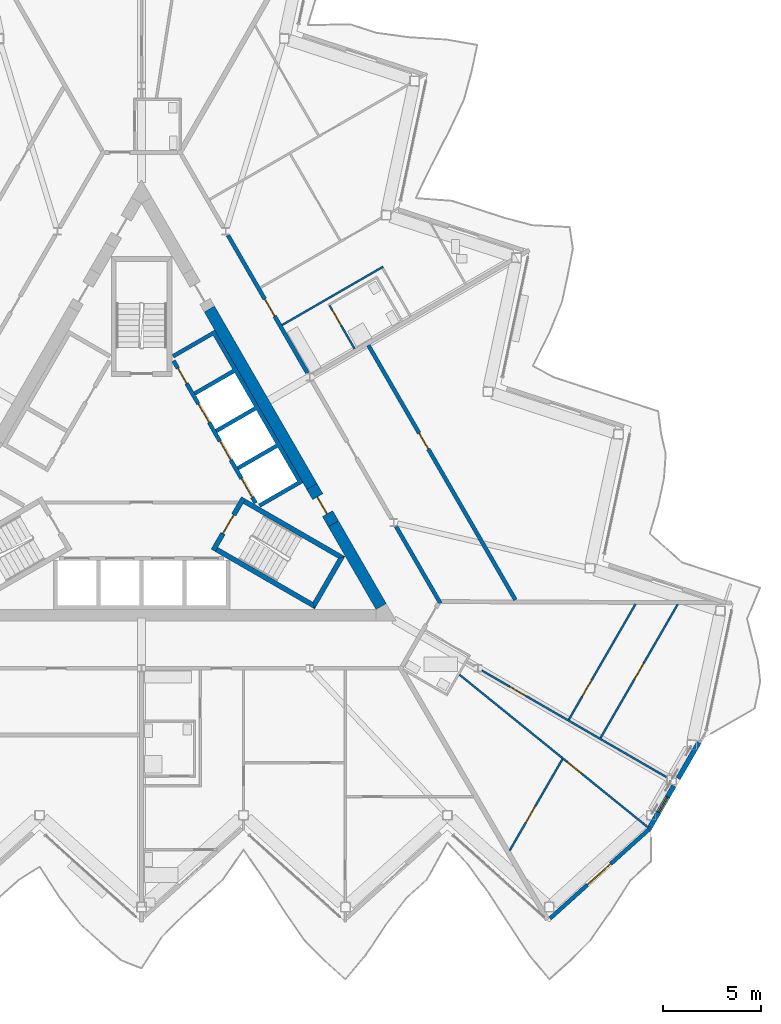
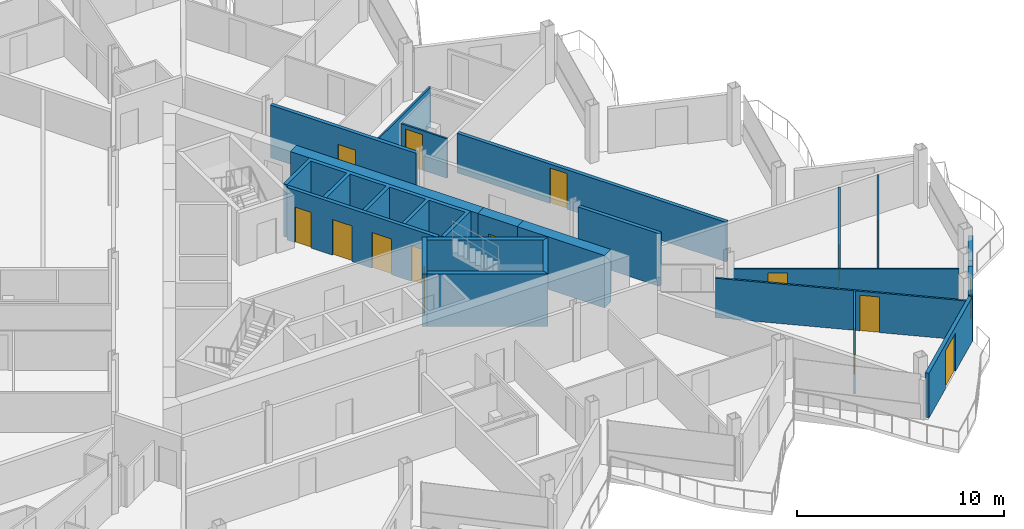
# One storey, part 16 of 27: 22 walls, 15 doors, 1 window, 16 openings.
"""IFC4 building model written with IfcOpenShell, lengths in metres."""

from ifc_helpers import new_model, si_unit, direction, frame, frame_2d, origin, place, context, subcontext, project, spatial, polyline, rectangle, outline, extrude, material, layer, layer_set, type_object, element, fill, save


model = new_model("IFC4")

# Units and contexts
model_context = context("Model", 3, precision=1e-05, world=origin(), true_north=direction((0.0, 1.0)))
body_context = subcontext(model_context, "Body", "Model", "MODEL_VIEW")
ifc_project = project(units=[si_unit("LENGTHUNIT", "METRE"), si_unit("AREAUNIT", "SQUARE_METRE"), si_unit("VOLUMEUNIT", "CUBIC_METRE"), si_unit("PLANEANGLEUNIT", "RADIAN"), si_unit("MASSUNIT", "GRAM", prefix="KILO")], contexts=[model_context])

# Site, building, storey
site_placement = place(None, origin())
site = spatial("IfcSite", under=ifc_project, at=site_placement, CompositionType="ELEMENT")
building_placement = place(site_placement, origin())
building = spatial("IfcBuilding", under=site, at=building_placement, Name="Cormorant Prow Tower", CompositionType="ELEMENT")
storey_placement = place(building_placement, frame((0.0, 0.0, 361.0)))
storey = spatial("IfcBuildingStorey", under=building, at=storey_placement, Name="L80", CompositionType="ELEMENT", Elevation=361.0)

# Walls
ifc_material_1 = material(Name="Concrete 8000 psi", Category="concrete")
ifc_layer_1 = layer(ifc_material_1, 0.60009765625)
ifc_layer_set_1 = layer_set([ifc_layer_1], Name="Concrete 8000 psi")
wall_type_1 = type_object("IfcWallType", Name="Core shear wall 600", PredefinedType="SHEAR", material=ifc_layer_set_1)
wall_1_placement = place(storey_placement, frame((8.686279296875, -0.6337890625, 0.0), z_axis=(0.0, 0.0, 1.0), x_axis=(-0.50001836461, 0.866014800712, 0.0)))
element("IfcWall", 1, at=wall_1_placement, inside=storey, type_object=wall_type_1, Name="Core wall", PredefinedType="SHEAR", context=body_context, shape_type="SweptSolid", body=[
    extrude(rectangle(XDim=10.45068359375, YDim=0.60009765625, at=frame_2d((5.225341796875, 0.0))), origin(), (0.0, 0.0, 1.0), 3.10009765625),
])
wall_2_placement = place(storey_placement, frame((12.220703125, -6.755615234375, 0.0), z_axis=(0.0, 0.0, 1.0), x_axis=(-0.50000604952, 0.866021911064, 0.0)))
element("IfcWall", 2, at=wall_2_placement, inside=storey, type_object=wall_type_1, Name="Core wall", PredefinedType="SHEAR", context=body_context, shape_type="SweptSolid", body=[
    extrude(rectangle(XDim=4.86865234375, YDim=0.60009765625, at=frame_2d((2.434326171875, 0.0))), origin(), (0.0, 0.0, 1.0), 3.10009765625),
])

# Wall, opening, door
wall_3_placement = place(storey_placement, frame((9.786376953125, -2.539306640625, 0.0), z_axis=(0.0, 0.0, 1.0), x_axis=(-0.499981787252, 0.866035918664, 0.0)))
wall_3 = element("IfcWall", 3, at=wall_3_placement, inside=storey, type_object=wall_type_1, Name="Core wall door panel", PredefinedType="SHEAR", context=body_context, shape_type="SweptSolid", body=[
    extrude(rectangle(XDim=2.2001953125, YDim=0.60009765625, at=frame_2d((1.10009765625, 0.0))), origin(), (0.0, 0.0, 1.0), 3.10009765625),
])
opening_1_placement = place(wall_3_placement, frame((0.60009765625, 0.0, 0.0)))
opening_1 = element("IfcOpeningElement", 4, at=opening_1_placement, cuts=wall_3, Name="Opening L80-C16", PredefinedType="OPENING", context=body_context, shape_type="SweptSolid", body=[
    extrude(rectangle(XDim=1.0, YDim=2.10009765625, at=frame_2d((0.5, 1.050048828125))), frame((0.0, 0.31005859375, 0.0), z_axis=(0.0, -1.0, 0.0), x_axis=(1.0, 0.0, 0.0)), (0.0, 0.0, 1.0), 0.6201171875),
])
ifc_material_2 = material(Name="Painted steel", Category="steel")
door_type_1 = type_object("IfcDoorType", Name="Service door 1000x2100", OperationType="NOTDEFINED", PredefinedType="DOOR", material=ifc_material_2)
door_1_placement = place(opening_1_placement, origin())
door_1 = element("IfcDoor", 5, at=door_1_placement, inside=storey, type_object=door_type_1, Name="Core door, Telecom room", OperationType="SINGLE_SWING_LEFT", OverallHeight=2.10009765625, OverallWidth=1.0, PredefinedType="DOOR", context=body_context, shape_type="SweptSolid", body=[
    extrude(rectangle(XDim=1.0, YDim=2.10009765625, at=frame_2d((0.5, 1.050048828125))), frame((0.0, 0.05517578125, 0.0), z_axis=(0.0, -1.0, 0.0), x_axis=(1.0, 0.0, 0.0)), (0.0, 0.0, 1.0), 0.050048828125),
])
fill(opening_1, door_1)

ifc_material_3 = material(Name="Gypsum board corridor wall")
ifc_layer_2 = layer(ifc_material_3, 0.199951171875)
ifc_layer_set_2 = layer_set([ifc_layer_2], Name="Gypsum board corridor wall")
wall_type_2 = type_object("IfcWallType", Name="Corridor wall 200", PredefinedType="PARTITIONING", material=ifc_layer_set_2)
wall_4_placement = place(storey_placement, frame((4.403076171875, 12.184814453125, 0.0), z_axis=(0.0, 0.0, 1.0), x_axis=(0.499992155518, -0.866029932751, 0.0)))
wall_4 = element("IfcWall", 6, at=wall_4_placement, inside=storey, type_object=wall_type_2, Name="Corridor wall", PredefinedType="PARTITIONING", context=body_context, shape_type="SweptSolid", body=[
    extrude(rectangle(XDim=8.123291015625, YDim=0.199951171875, at=frame_2d((4.0615234375, 0.0))), origin(), (0.0, 0.0, 1.0), 3.10009765625),
])
opening_2_placement = place(wall_4_placement, frame((3.762451171875, 0.0, 0.0)))
opening_2 = element("IfcOpeningElement", 7, at=opening_2_placement, cuts=wall_4, Name="Opening L80-F20", PredefinedType="OPENING", context=body_context, shape_type="SweptSolid", body=[
    extrude(rectangle(XDim=1.0, YDim=2.10009765625, at=frame_2d((0.5, 1.050048828125))), frame((0.0, 0.10986328125, 0.0), z_axis=(0.0, -1.0, 0.0), x_axis=(1.0, 0.0, 0.0)), (0.0, 0.0, 1.0), 0.219970703125),
])
ifc_material_4 = material(Name="Timber door leaf", Category="wood")
door_type_2 = type_object("IfcDoorType", Name="Flat or room entrance door 1000x2100", OperationType="NOTDEFINED", PredefinedType="DOOR", material=ifc_material_4)
door_2_placement = place(opening_2_placement, origin())
door_2 = element("IfcDoor", 8, at=door_2_placement, inside=storey, type_object=door_type_2, Name="Living room door", OperationType="SINGLE_SWING_RIGHT", OverallHeight=2.10009765625, OverallWidth=1.0, PredefinedType="DOOR", context=body_context, shape_type="SweptSolid", body=[
    extrude(rectangle(XDim=1.0, YDim=2.10009765625, at=frame_2d((0.5, 1.050048828125))), frame((0.0, 0.02490234375, 0.0), z_axis=(0.0, -1.0, 0.0), x_axis=(1.0, 0.0, 0.0)), (0.0, 0.0, 1.0), 0.050048828125),
])
fill(opening_2, door_2)

# Wall
wall_5_placement = place(storey_placement, frame((12.9814453125, -2.67333984375, 0.0), z_axis=(0.0, 0.0, 1.0), x_axis=(0.499974648164, -0.866040040179, 0.0)))
element("IfcWall", 9, at=wall_5_placement, inside=storey, type_object=wall_type_2, Name="Corridor wall", PredefinedType="PARTITIONING", context=body_context, shape_type="SweptSolid", body=[
    extrude(rectangle(XDim=4.525146484375, YDim=0.199951171875, at=frame_2d((2.2626953125, 0.0))), origin(), (0.0, 0.0, 1.0), 3.10009765625),
])

# Wall, opening, door
ifc_material_5 = material(Name="Gypsum board demising wall")
ifc_layer_3 = layer(ifc_material_5, 0.199951171875)
ifc_layer_set_3 = layer_set([ifc_layer_3], Name="Gypsum board demising wall")
wall_type_3 = type_object("IfcWallType", Name="Demising wall 200", PredefinedType="PARTITIONING", material=ifc_layer_set_3)
wall_6_placement = place(storey_placement, frame((11.572998046875, 6.566162109375, 0.0), z_axis=(0.0, 0.0, 1.0), x_axis=(0.499993542657, -0.866029131901, 0.0)))
wall_6 = element("IfcWall", 10, at=wall_6_placement, inside=storey, type_object=wall_type_3, Name="Demising wall", PredefinedType="PARTITIONING", context=body_context, shape_type="SweptSolid", body=[
    extrude(rectangle(XDim=14.993896484375, YDim=0.199951171875, at=frame_2d((7.4970703125, 0.0))), origin(), (0.0, 0.0, 1.0), 2.330078125),
])
opening_3_placement = place(wall_6_placement, frame((5.166015625, 0.0, 0.0)))
opening_3 = element("IfcOpeningElement", 11, at=opening_3_placement, cuts=wall_6, Name="Opening L80-F19", PredefinedType="OPENING", context=body_context, shape_type="SweptSolid", body=[
    extrude(rectangle(XDim=0.949951171875, YDim=2.10009765625, at=frame_2d((0.47509765625, 1.050048828125))), frame((0.0, 0.10986328125, 0.0), z_axis=(0.0, -1.0, 0.0), x_axis=(1.0, 0.0, 0.0)), (0.0, 0.0, 1.0), 0.219970703125),
])
ifc_material_6 = material(Name="Timber door leaf", Category="wood")
door_type_3 = type_object("IfcDoorType", Name="Store door 950x2100", OperationType="NOTDEFINED", PredefinedType="DOOR", material=ifc_material_6)
door_3_placement = place(opening_3_placement, origin())
door_3 = element("IfcDoor", 12, at=door_3_placement, inside=storey, type_object=door_type_3, Name="Refuse room door", OperationType="SINGLE_SWING_LEFT", OverallHeight=2.10009765625, OverallWidth=0.949951171875, PredefinedType="DOOR", context=body_context, shape_type="SweptSolid", body=[
    extrude(rectangle(XDim=0.949951171875, YDim=2.10009765625, at=frame_2d((0.47509765625, 1.050048828125))), frame((0.0, 0.02490234375, 0.0), z_axis=(0.0, -1.0, 0.0), x_axis=(1.0, 0.0, 0.0)), (0.0, 0.0, 1.0), 0.050048828125),
])
fill(opening_3, door_3)

ifc_material_7 = material(Name="Gypsum board partition")
ifc_layer_4 = layer(ifc_material_7, 0.10009765625)
ifc_layer_set_4 = layer_set([ifc_layer_4], Name="Gypsum board partition")
wall_type_4 = type_object("IfcWallType", Name="Internal partition 100", PredefinedType="PARTITIONING", material=ifc_layer_set_4)
wall_7_placement = place(storey_placement, frame((16.2158203125, -10.234130859375, 0.0), z_axis=(0.0, 0.0, 1.0), x_axis=(0.777145059662, -0.629321504672, 0.0)))
wall_7 = element("IfcWall", 13, at=wall_7_placement, inside=storey, type_object=wall_type_4, Name="Internal partition", PredefinedType="PARTITIONING", context=body_context, shape_type="SweptSolid", body=[
    extrude(rectangle(XDim=12.58984375, YDim=0.10009765625, at=frame_2d((6.294921875, 0.0))), origin(), (0.0, 0.0, 1.0), 2.330078125),
])
opening_4_placement = place(wall_7_placement, frame((7.074462890625, 0.0, 0.0)))
opening_4 = element("IfcOpeningElement", 14, at=opening_4_placement, cuts=wall_7, Name="Opening L80-F16", PredefinedType="OPENING", context=body_context, shape_type="SweptSolid", body=[
    extrude(rectangle(XDim=0.949951171875, YDim=2.10009765625, at=frame_2d((0.47509765625, 1.050048828125))), frame((0.0, 0.06005859375, 0.0), z_axis=(0.0, -1.0, 0.0), x_axis=(1.0, 0.0, 0.0)), (0.0, 0.0, 1.0), 0.1201171875),
])
ifc_material_8 = material(Name="Timber door leaf", Category="wood")
door_type_4 = type_object("IfcDoorType", Name="Bathroom door 950x2100", OperationType="NOTDEFINED", PredefinedType="DOOR", material=ifc_material_8)
door_4_placement = place(opening_4_placement, origin())
door_4 = element("IfcDoor", 15, at=door_4_placement, inside=storey, type_object=door_type_4, Name="Bedroom door", OperationType="SINGLE_SWING_LEFT", OverallHeight=2.10009765625, OverallWidth=0.949951171875, PredefinedType="DOOR", context=body_context, shape_type="SweptSolid", body=[
    extrude(rectangle(XDim=0.949951171875, YDim=2.10009765625, at=frame_2d((0.47509765625, 1.050048828125))), frame((0.0, 0.02490234375, 0.0), z_axis=(0.0, -1.0, 0.0), x_axis=(1.0, 0.0, 0.0)), (0.0, 0.0, 1.0), 0.050048828125),
])
fill(opening_4, door_4)

wall_8_placement = place(storey_placement, frame((17.35400390625, -10.019287109375, 0.0), z_axis=(0.0, 0.0, 1.0), x_axis=(0.866019680922, -0.500009912158, 0.0)))
wall_8 = element("IfcWall", 16, at=wall_8_placement, inside=storey, type_object=wall_type_4, Name="Internal partition", PredefinedType="PARTITIONING", context=body_context, shape_type="SweptSolid", body=[
    extrude(rectangle(XDim=10.880615234375, YDim=0.10009765625, at=frame_2d((5.4404296875, 0.0))), origin(), (0.0, 0.0, 1.0), 2.330078125),
])
opening_5_placement = place(wall_8_placement, frame((1.654541015625, 0.0, 0.0)))
opening_5 = element("IfcOpeningElement", 17, at=opening_5_placement, cuts=wall_8, Name="Opening L80-F15", PredefinedType="OPENING", context=body_context, shape_type="SweptSolid", body=[
    extrude(rectangle(XDim=0.949951171875, YDim=2.10009765625, at=frame_2d((0.47509765625, 1.050048828125))), frame((0.0, 0.06005859375, 0.0), z_axis=(0.0, -1.0, 0.0), x_axis=(1.0, 0.0, 0.0)), (0.0, 0.0, 1.0), 0.1201171875),
])
door_5_placement = place(opening_5_placement, origin())
door_5 = element("IfcDoor", 18, at=door_5_placement, inside=storey, type_object=door_type_4, Name="Living room door", OperationType="SINGLE_SWING_RIGHT", OverallHeight=2.10009765625, OverallWidth=0.949951171875, PredefinedType="DOOR", context=body_context, shape_type="SweptSolid", body=[
    extrude(rectangle(XDim=0.949951171875, YDim=2.10009765625, at=frame_2d((0.47509765625, 1.050048828125))), frame((0.0, 0.02490234375, 0.0), z_axis=(0.0, -1.0, 0.0), x_axis=(1.0, 0.0, 0.0)), (0.0, 0.0, 1.0), 0.050048828125),
])
fill(opening_5, door_5)

wall_9_placement = place(storey_placement, frame((23.4150390625, -13.4609375, 0.0), z_axis=(0.0, 0.0, 1.0), x_axis=(0.500011483804, 0.866018773506, 0.0)))
wall_9 = element("IfcWall", 19, at=wall_9_placement, inside=storey, type_object=wall_type_4, Name="Internal partition", PredefinedType="PARTITIONING", context=body_context, shape_type="SweptSolid", body=[
    extrude(rectangle(XDim=7.872314453125, YDim=0.10009765625, at=frame_2d((3.93603515625, 0.0))), origin(), (0.0, 0.0, 1.0), 2.330078125),
])
opening_6_placement = place(wall_9_placement, frame((3.461181640625, 0.0, 0.0)))
opening_6 = element("IfcOpeningElement", 20, at=opening_6_placement, cuts=wall_9, Name="Opening L80-F14", PredefinedType="OPENING", context=body_context, shape_type="SweptSolid", body=[
    extrude(rectangle(XDim=0.949951171875, YDim=2.10009765625, at=frame_2d((0.47509765625, 1.050048828125))), frame((0.0, 0.06005859375, 0.0), z_axis=(0.0, -1.0, 0.0), x_axis=(1.0, 0.0, 0.0)), (0.0, 0.0, 1.0), 0.1201171875),
])
door_6_placement = place(opening_6_placement, origin())
door_6 = element("IfcDoor", 21, at=door_6_placement, inside=storey, type_object=door_type_4, Name="Kitchen door", OperationType="SINGLE_SWING_RIGHT", OverallHeight=2.10009765625, OverallWidth=0.949951171875, PredefinedType="DOOR", context=body_context, shape_type="SweptSolid", body=[
    extrude(rectangle(XDim=0.949951171875, YDim=2.10009765625, at=frame_2d((0.47509765625, 1.050048828125))), frame((0.0, 0.02490234375, 0.0), z_axis=(0.0, -1.0, 0.0), x_axis=(1.0, 0.0, 0.0)), (0.0, 0.0, 1.0), 0.050048828125),
])
fill(opening_6, door_6)

wall_10_placement = place(storey_placement, frame((21.7958984375, -12.526123046875, 0.0), z_axis=(0.0, 0.0, 1.0), x_axis=(0.499994777381, 0.866028419044, 0.0)))
wall_10 = element("IfcWall", 22, at=wall_10_placement, inside=storey, type_object=wall_type_4, Name="Internal partition", PredefinedType="PARTITIONING", context=body_context, shape_type="SweptSolid", body=[
    extrude(rectangle(XDim=6.80322265625, YDim=0.10009765625, at=frame_2d((3.401611328125, 0.0))), origin(), (0.0, 0.0, 1.0), 2.330078125),
])
opening_7_placement = place(wall_10_placement, frame((1.361083984375, 0.0, 0.0)))
opening_7 = element("IfcOpeningElement", 23, at=opening_7_placement, cuts=wall_10, Name="Opening L80-F13", PredefinedType="OPENING", context=body_context, shape_type="SweptSolid", body=[
    extrude(rectangle(XDim=0.949951171875, YDim=2.10009765625, at=frame_2d((0.47509765625, 1.050048828125))), frame((0.0, 0.06005859375, 0.0), z_axis=(0.0, -1.0, 0.0), x_axis=(1.0, 0.0, 0.0)), (0.0, 0.0, 1.0), 0.1201171875),
])
door_7_placement = place(opening_7_placement, origin())
door_7 = element("IfcDoor", 24, at=door_7_placement, inside=storey, type_object=door_type_4, Name="Living room door", OperationType="SINGLE_SWING_LEFT", OverallHeight=2.10009765625, OverallWidth=0.949951171875, PredefinedType="DOOR", context=body_context, shape_type="SweptSolid", body=[
    extrude(rectangle(XDim=0.949951171875, YDim=2.10009765625, at=frame_2d((0.47509765625, 1.050048828125))), frame((0.0, 0.02490234375, 0.0), z_axis=(0.0, -1.0, 0.0), x_axis=(1.0, 0.0, 0.0)), (0.0, 0.0, 1.0), 0.050048828125),
])
fill(opening_7, door_7)

# Wall
wall_11_placement = place(storey_placement, frame((7.1650390625, 7.600830078125, 0.0), z_axis=(0.0, 0.0, 1.0), x_axis=(0.866017493347, 0.500013701029, 0.0)))
element("IfcWall", 25, at=wall_11_placement, inside=storey, type_object=wall_type_4, Name="Internal partition", PredefinedType="PARTITIONING", context=body_context, shape_type="SweptSolid", body=[
    extrude(rectangle(XDim=5.949951171875, YDim=0.10009765625, at=frame_2d((2.97509765625, 0.0))), origin(), (0.0, 0.0, 1.0), 2.330078125),
])

# Wall, opening, door
wall_12_placement = place(storey_placement, frame((18.7783203125, -19.2060546875, 0.0), z_axis=(0.0, 0.0, 1.0), x_axis=(0.499992359988, 0.866029814703, 0.0)))
wall_12 = element("IfcWall", 26, at=wall_12_placement, inside=storey, type_object=wall_type_4, Name="Internal partition", PredefinedType="PARTITIONING", context=body_context, shape_type="SweptSolid", body=[
    extrude(rectangle(XDim=5.37646484375, YDim=0.10009765625, at=frame_2d((2.688232421875, 0.0))), origin(), (0.0, 0.0, 1.0), 2.330078125),
])
opening_8_placement = place(wall_12_placement, frame((1.659423828125, 0.0, 0.0)))
opening_8 = element("IfcOpeningElement", 27, at=opening_8_placement, cuts=wall_12, Name="Opening L80-F17", PredefinedType="OPENING", context=body_context, shape_type="SweptSolid", body=[
    extrude(rectangle(XDim=0.949951171875, YDim=2.10009765625, at=frame_2d((0.47509765625, 1.050048828125))), frame((0.0, 0.06005859375, 0.0), z_axis=(0.0, -1.0, 0.0), x_axis=(1.0, 0.0, 0.0)), (0.0, 0.0, 1.0), 0.1201171875),
])
door_8_placement = place(opening_8_placement, origin())
door_8 = element("IfcDoor", 28, at=door_8_placement, inside=storey, type_object=door_type_4, Name="Bedroom door", OperationType="SINGLE_SWING_RIGHT", OverallHeight=2.10009765625, OverallWidth=0.949951171875, PredefinedType="DOOR", context=body_context, shape_type="SweptSolid", body=[
    extrude(rectangle(XDim=0.949951171875, YDim=2.10009765625, at=frame_2d((0.47509765625, 1.050048828125))), frame((0.0, 0.02490234375, 0.0), z_axis=(0.0, -1.0, 0.0), x_axis=(1.0, 0.0, 0.0)), (0.0, 0.0, 1.0), 0.050048828125),
])
fill(opening_8, door_8)

wall_13_placement = place(storey_placement, frame((9.591796875, 8.59765625, 0.0), z_axis=(0.0, 0.0, 1.0), x_axis=(0.499990435942, -0.866030925526, 0.0)))
wall_13 = element("IfcWall", 29, at=wall_13_placement, inside=storey, type_object=wall_type_4, Name="Internal partition", PredefinedType="PARTITIONING", context=body_context, shape_type="SweptSolid", body=[
    extrude(rectangle(XDim=2.5498046875, YDim=0.10009765625, at=frame_2d((1.27490234375, 0.0))), origin(), (0.0, 0.0, 1.0), 2.330078125),
])
opening_9_placement = place(wall_13_placement, frame((0.25, 0.0, 0.0)))
opening_9 = element("IfcOpeningElement", 30, at=opening_9_placement, cuts=wall_13, Name="Opening L80-F27", PredefinedType="OPENING", context=body_context, shape_type="SweptSolid", body=[
    extrude(rectangle(XDim=0.949951171875, YDim=2.10009765625, at=frame_2d((0.47509765625, 1.050048828125))), frame((0.0, 0.06005859375, 0.0), z_axis=(0.0, -1.0, 0.0), x_axis=(1.0, 0.0, 0.0)), (0.0, 0.0, 1.0), 0.1201171875),
])
door_9_placement = place(opening_9_placement, origin())
door_9 = element("IfcDoor", 31, at=door_9_placement, inside=storey, type_object=door_type_4, Name="Kitchen door", OperationType="SINGLE_SWING_LEFT", OverallHeight=2.10009765625, OverallWidth=0.949951171875, PredefinedType="DOOR", context=body_context, shape_type="SweptSolid", body=[
    extrude(rectangle(XDim=0.949951171875, YDim=2.10009765625, at=frame_2d((0.47509765625, 1.050048828125))), frame((0.0, 0.02490234375, 0.0), z_axis=(0.0, -1.0, 0.0), x_axis=(1.0, 0.0, 0.0)), (0.0, 0.0, 1.0), 0.050048828125),
])
fill(opening_9, door_9)

# Wall, openings, doors
ifc_material_9 = material(Name="Concrete 5000 psi", Category="concrete")
ifc_layer_5 = layer(ifc_material_9, 0.199951171875)
ifc_layer_set_5 = layer_set([ifc_layer_5], Name="Concrete 5000 psi")
wall_type_5 = type_object("IfcWallType", Name="Lift lobby wall 200", PredefinedType="SOLIDWALL", material=ifc_layer_set_5)
wall_14_placement = place(storey_placement, frame((5.817138671875, -1.4755859375, 0.0), z_axis=(0.0, 0.0, 1.0), x_axis=(-0.500002616675, 0.866023893041, 0.0)))
wall_14 = element("IfcWall", 32, at=wall_14_placement, inside=storey, type_object=wall_type_5, Name="Lift lobby wall, ENE block", PredefinedType="SOLIDWALL", context=body_context, shape_type="SweptSolid", body=[
    extrude(rectangle(XDim=8.373046875, YDim=0.199951171875, at=frame_2d((4.1865234375, 0.0))), origin(), (0.0, 0.0, 1.0), 3.10009765625),
])
opening_10_placement = place(wall_14_placement, frame((0.336669921875, 0.0, 0.0)))
opening_10 = element("IfcOpeningElement", 33, at=opening_10_placement, cuts=wall_14, Name="Opening L80-C05", PredefinedType="OPENING", context=body_context, shape_type="SweptSolid", body=[
    extrude(rectangle(XDim=1.10009765625, YDim=2.10009765625, at=frame_2d((0.550048828125, 1.050048828125))), frame((0.0, 0.10986328125, 0.0), z_axis=(0.0, -1.0, 0.0), x_axis=(1.0, 0.0, 0.0)), (0.0, 0.0, 1.0), 0.219970703125),
])
opening_11_placement = place(wall_14_placement, frame((2.53662109375, 0.0, 0.0)))
opening_11 = element("IfcOpeningElement", 34, at=opening_11_placement, cuts=wall_14, Name="Opening L80-C06", PredefinedType="OPENING", context=body_context, shape_type="SweptSolid", body=[
    extrude(rectangle(XDim=1.10009765625, YDim=2.10009765625, at=frame_2d((0.550048828125, 1.050048828125))), frame((0.0, 0.10986328125, 0.0), z_axis=(0.0, -1.0, 0.0), x_axis=(1.0, 0.0, 0.0)), (0.0, 0.0, 1.0), 0.219970703125),
])
opening_12_placement = place(wall_14_placement, frame((4.736572265625, 0.0, 0.0)))
opening_12 = element("IfcOpeningElement", 35, at=opening_12_placement, cuts=wall_14, Name="Opening L80-C07", PredefinedType="OPENING", context=body_context, shape_type="SweptSolid", body=[
    extrude(rectangle(XDim=1.10009765625, YDim=2.10009765625, at=frame_2d((0.550048828125, 1.050048828125))), frame((0.0, 0.10986328125, 0.0), z_axis=(0.0, -1.0, 0.0), x_axis=(1.0, 0.0, 0.0)), (0.0, 0.0, 1.0), 0.219970703125),
])
opening_13_placement = place(wall_14_placement, frame((7.03662109375, 0.0, 0.0)))
opening_13 = element("IfcOpeningElement", 36, at=opening_13_placement, cuts=wall_14, Name="Opening L80-C08", PredefinedType="OPENING", context=body_context, shape_type="SweptSolid", body=[
    extrude(rectangle(XDim=0.89990234375, YDim=2.10009765625, at=frame_2d((0.449951171875, 1.050048828125))), frame((0.0, 0.10986328125, 0.0), z_axis=(0.0, -1.0, 0.0), x_axis=(1.0, 0.0, 0.0)), (0.0, 0.0, 1.0), 0.219970703125),
])
ifc_material_10 = material(Name="Painted steel", Category="steel")
door_type_5 = type_object("IfcDoorType", Name="Lift landing door 1100x2100", OperationType="SLIDING_TO_LEFT", PredefinedType="DOOR", material=ifc_material_10)
door_10_placement = place(opening_10_placement, origin())
door_10 = element("IfcDoor", 37, at=door_10_placement, inside=storey, type_object=door_type_5, Name="Landing door HR2", OperationType="SLIDING_TO_LEFT", OverallHeight=2.10009765625, OverallWidth=1.10009765625, PredefinedType="DOOR", context=body_context, shape_type="SweptSolid", body=[
    extrude(rectangle(XDim=1.10009765625, YDim=2.10009765625, at=frame_2d((0.550048828125, 1.050048828125))), frame((0.0, 0.02490234375, 0.0), z_axis=(0.0, -1.0, 0.0), x_axis=(1.0, 0.0, 0.0)), (0.0, 0.0, 1.0), 0.050048828125),
])
fill(opening_10, door_10)
door_11_placement = place(opening_11_placement, origin())
door_11 = element("IfcDoor", 38, at=door_11_placement, inside=storey, type_object=door_type_5, Name="Landing door HR3", OperationType="SLIDING_TO_LEFT", OverallHeight=2.10009765625, OverallWidth=1.10009765625, PredefinedType="DOOR", context=body_context, shape_type="SweptSolid", body=[
    extrude(rectangle(XDim=1.10009765625, YDim=2.10009765625, at=frame_2d((0.550048828125, 1.050048828125))), frame((0.0, 0.02490234375, 0.0), z_axis=(0.0, -1.0, 0.0), x_axis=(1.0, 0.0, 0.0)), (0.0, 0.0, 1.0), 0.050048828125),
])
fill(opening_11, door_11)
door_12_placement = place(opening_12_placement, origin())
door_12 = element("IfcDoor", 39, at=door_12_placement, inside=storey, type_object=door_type_5, Name="Landing door HR4", OperationType="SLIDING_TO_LEFT", OverallHeight=2.10009765625, OverallWidth=1.10009765625, PredefinedType="DOOR", context=body_context, shape_type="SweptSolid", body=[
    extrude(rectangle(XDim=1.10009765625, YDim=2.10009765625, at=frame_2d((0.550048828125, 1.050048828125))), frame((0.0, 0.02490234375, 0.0), z_axis=(0.0, -1.0, 0.0), x_axis=(1.0, 0.0, 0.0)), (0.0, 0.0, 1.0), 0.050048828125),
])
fill(opening_12, door_12)
ifc_material_11 = material(Name="Painted steel", Category="steel")
door_type_6 = type_object("IfcDoorType", Name="Service door 900x2100", OperationType="NOTDEFINED", PredefinedType="DOOR", material=ifc_material_11)
door_13_placement = place(opening_13_placement, origin())
door_13 = element("IfcDoor", 40, at=door_13_placement, inside=storey, type_object=door_type_6, Name="Service door, Telecom room", OperationType="SINGLE_SWING_RIGHT", OverallHeight=2.10009765625, OverallWidth=0.89990234375, PredefinedType="DOOR", context=body_context, shape_type="SweptSolid", body=[
    extrude(rectangle(XDim=0.89990234375, YDim=2.10009765625, at=frame_2d((0.449951171875, 1.050048828125))), frame((0.0, 0.02490234375, 0.0), z_axis=(0.0, -1.0, 0.0), x_axis=(1.0, 0.0, 0.0)), (0.0, 0.0, 1.0), 0.050048828125),
])
fill(opening_13, door_13)

# Walls
ifc_material_12 = material(Name="Concrete 8000 psi", Category="concrete")
ifc_layer_6 = layer(ifc_material_12, 0.199951171875)
ifc_layer_set_6 = layer_set([ifc_layer_6], Name="Concrete 8000 psi")
wall_type_6 = type_object("IfcWallType", Name="Lift shaft wall 200", PredefinedType="SHEAR", material=ifc_layer_set_6)
wall_15_placement = place(storey_placement, origin())
element("IfcWall", 41, at=wall_15_placement, inside=storey, type_object=wall_type_6, Name="Lift shaft walls, ENE block", PredefinedType="SHEAR", context=body_context, shape_type="SweptSolid", body=[
    extrude(outline(polyline([(1.560546875, 6.09716796875), (3.730712890625, 7.35009765625), (8.230712890625, -0.444091796875), (6.060546875, -1.697021484375), (5.96044921875, -1.52392578125), (7.952392578125, -0.373779296875), (6.952392578125, 1.358154296875), (4.96044921875, 0.2080078125), (4.860595703125, 0.38134765625), (6.852294921875, 1.53125), (5.852294921875, 3.263427734375), (3.860595703125, 2.11328125), (3.760498046875, 2.28662109375), (5.75244140625, 3.4365234375), (4.75244140625, 5.168701171875), (2.760498046875, 4.018798828125), (2.660400390625, 4.19189453125), (4.65234375, 5.341796875), (3.65234375, 7.073974609375), (1.660400390625, 5.923828125), (1.560546875, 6.09716796875)])), origin(), (0.0, 0.0, 1.0), 3.10009765625),
])
ifc_material_13 = material(Name="Concrete 8000 psi", Category="concrete")
ifc_layer_7 = layer(ifc_material_13, 0.25)
ifc_layer_set_7 = layer_set([ifc_layer_7], Name="Concrete 8000 psi")
wall_type_7 = type_object("IfcWallType", Name="Stair wall 250", PredefinedType="SHEAR", material=ifc_layer_set_7)
wall_16_placement = place(storey_placement, origin())
element("IfcWall", 42, at=wall_16_placement, inside=storey, type_object=wall_type_7, Name="Stair ST2 enclosure wall (flank)", PredefinedType="SHEAR", context=body_context, shape_type="SweptSolid", body=[
    extrude(outline(polyline([(3.76318359375, -3.95556640625), (8.82958984375, -6.880615234375), (8.738037109375, -6.5390625), (3.88818359375, -3.739013671875), (3.76318359375, -3.95556640625)])), origin(), (0.0, 0.0, 1.0), 3.10009765625),
])
wall_17_placement = place(storey_placement, origin())
element("IfcWall", 43, at=wall_17_placement, inside=storey, type_object=wall_type_7, Name="Stair ST2 enclosure wall (end)", PredefinedType="SHEAR", context=body_context, shape_type="SweptSolid", body=[
    extrude(outline(polyline([(8.82958984375, -6.880615234375), (10.37353515625, -4.206298828125), (10.031982421875, -4.2978515625), (8.738037109375, -6.5390625), (8.82958984375, -6.880615234375)])), origin(), (0.0, 0.0, 1.0), 3.10009765625),
])
wall_18_placement = place(storey_placement, origin())
element("IfcWall", 44, at=wall_18_placement, inside=storey, type_object=wall_type_7, Name="Stair ST2 enclosure wall (flank)", PredefinedType="SHEAR", context=body_context, shape_type="SweptSolid", body=[
    extrude(outline(polyline([(10.031982421875, -4.2978515625), (10.37353515625, -4.206298828125), (5.30712890625, -1.28125), (5.18212890625, -1.497802734375), (10.031982421875, -4.2978515625)])), origin(), (0.0, 0.0, 1.0), 3.10009765625),
])

# Wall, opening, door
wall_19_placement = place(storey_placement, frame((3.655029296875, -3.89306640625, 0.0), z_axis=(0.0, 0.0, 1.0), x_axis=(0.499982516597, 0.866035497597, 0.0)))
wall_19 = element("IfcWall", 45, at=wall_19_placement, inside=storey, type_object=wall_type_7, Name="Stair ST2 door wall", PredefinedType="SHEAR", context=body_context, shape_type="SweptSolid", body=[
    extrude(rectangle(XDim=3.087890625, YDim=0.25, at=frame_2d((1.5439453125, 0.0))), origin(), (0.0, 0.0, 1.0), 3.10009765625),
])
opening_14_placement = place(wall_19_placement, frame((0.993896484375, 0.0, 0.0)))
opening_14 = element("IfcOpeningElement", 46, at=opening_14_placement, cuts=wall_19, Name="Opening L80-C13", PredefinedType="OPENING", context=body_context, shape_type="SweptSolid", body=[
    extrude(rectangle(XDim=1.10009765625, YDim=2.10009765625, at=frame_2d((0.550048828125, 1.050048828125))), frame((0.0, 0.135009765625, 0.0), z_axis=(0.0, -1.0, 0.0), x_axis=(1.0, 0.0, 0.0)), (0.0, 0.0, 1.0), 0.27001953125),
])
ifc_material_14 = material(Name="Painted steel", Category="steel")
door_type_7 = type_object("IfcDoorType", Name="Stair door 1100x2100", OperationType="NOTDEFINED", PredefinedType="DOOR", material=ifc_material_14)
door_14_placement = place(opening_14_placement, origin())
door_14 = element("IfcDoor", 47, at=door_14_placement, inside=storey, type_object=door_type_7, Name="Stair ST2 door", OperationType="SINGLE_SWING_RIGHT", OverallHeight=2.10009765625, OverallWidth=1.10009765625, PredefinedType="DOOR", context=body_context, shape_type="SweptSolid", body=[
    extrude(rectangle(XDim=1.10009765625, YDim=2.10009765625, at=frame_2d((0.550048828125, 1.050048828125))), frame((0.0, 0.02490234375, 0.0), z_axis=(0.0, -1.0, 0.0), x_axis=(1.0, 0.0, 0.0)), (0.0, 0.0, 1.0), 0.050048828125),
])
fill(opening_14, door_14)

# Wall, opening, window
ifc_material_15 = material(Name="Terracotta", Category="masonry")
ifc_layer_8 = layer(ifc_material_15, 0.25)
ifc_layer_set_8 = layer_set([ifc_layer_8], Name="Terracotta")
wall_type_8 = type_object("IfcWallType", Name="Terracotta bay wall 250", PredefinedType="SOLIDWALL", material=ifc_layer_set_8)
wall_20_placement = place(storey_placement, frame((25.934814453125, -18.02001953125, 0.0), z_axis=(0.0, 0.0, 1.0), x_axis=(0.500028873844, 0.866008732821, 0.0)))
wall_20 = element("IfcWall", 48, at=wall_20_placement, inside=storey, type_object=wall_type_8, Name="Terracotta bay wall ESE00", PredefinedType="SOLIDWALL", context=body_context, shape_type="SweptSolid", body=[
    extrude(rectangle(XDim=2.436767578125, YDim=0.25, at=frame_2d((1.21826171875, 0.0))), origin(), (0.0, 0.0, 1.0), 2.6337890625),
])
opening_15_placement = place(wall_20_placement, frame((0.879638671875, 0.0, 0.60009765625)))
opening_15 = element("IfcOpeningElement", 49, at=opening_15_placement, cuts=wall_20, Name="Opening WN9", PredefinedType="OPENING", context=body_context, shape_type="SweptSolid", body=[
    extrude(rectangle(XDim=0.89990234375, YDim=1.800048828125, at=frame_2d((0.449951171875, 0.89990234375))), frame((0.0, 0.135009765625, 0.0), z_axis=(0.0, -1.0, 0.0), x_axis=(1.0, 0.0, 0.0)), (0.0, 0.0, 1.0), 0.27001953125),
])
ifc_material_16 = material(Name="Aluminium 6063-T6", Category="aluminium")
window_type = type_object("IfcWindowType", Name="Corner bay window 900x1800", PartitioningType="SINGLE_PANEL", PredefinedType="WINDOW", material=ifc_material_16)
window_placement = place(opening_15_placement, origin())
window = element("IfcWindow", 50, at=window_placement, inside=storey, type_object=window_type, Name="Corner bay window ESE00", OverallHeight=1.800048828125, OverallWidth=0.89990234375, PartitioningType="SINGLE_PANEL", PredefinedType="WINDOW", context=body_context, shape_type="SweptSolid", body=[
    extrude(rectangle(XDim=0.89990234375, YDim=1.800048828125, at=frame_2d((0.449951171875, 0.89990234375))), frame((0.0, 0.030029296875, 0.0), z_axis=(0.0, -1.0, 0.0), x_axis=(1.0, 0.0, 0.0)), (0.0, 0.0, 1.0), 0.06005859375),
])
fill(opening_15, window)

# Wall
wall_21_placement = place(storey_placement, frame((27.37353515625, -15.5283203125, 0.0), z_axis=(0.0, 0.0, 1.0), x_axis=(0.499941779639, 0.866059014716, 0.0)))
element("IfcWall", 51, at=wall_21_placement, inside=storey, type_object=wall_type_8, Name="Terracotta bay wall ESE01", PredefinedType="SOLIDWALL", context=body_context, shape_type="SweptSolid", body=[
    extrude(rectangle(XDim=2.119873046875, YDim=0.25, at=frame_2d((1.06005859375, 0.0))), origin(), (0.0, 0.0, 1.0), 2.6337890625),
])

# Wall, opening, door
ifc_material_17 = material(Name="Terracotta", Category="masonry")
ifc_layer_9 = layer(ifc_material_17, 0.199951171875)
ifc_layer_set_9 = layer_set([ifc_layer_9], Name="Terracotta")
wall_type_9 = type_object("IfcWallType", Name="Terracotta jamb wall 200", PredefinedType="SOLIDWALL", material=ifc_layer_set_9)
wall_22_placement = place(storey_placement, frame((20.836669921875, -22.671875, 0.0), z_axis=(0.0, 0.0, 1.0), x_axis=(0.743143698099, 0.669131858437, 0.0)))
wall_22 = element("IfcWall", 52, at=wall_22_placement, inside=storey, type_object=wall_type_9, Name="Terracotta jamb wall S09", PredefinedType="SOLIDWALL", context=body_context, shape_type="SweptSolid", body=[
    extrude(rectangle(XDim=6.77880859375, YDim=0.199951171875, at=frame_2d((3.389404296875, 0.0))), origin(), (0.0, 0.0, 1.0), 2.6337890625),
])
opening_16_placement = place(wall_22_placement, frame((2.559326171875, 0.0, 0.0)))
opening_16 = element("IfcOpeningElement", 53, at=opening_16_placement, cuts=wall_22, Name="Opening ED80.05", PredefinedType="OPENING", context=body_context, shape_type="SweptSolid", body=[
    extrude(rectangle(XDim=1.60009765625, YDim=2.25, at=frame_2d((0.800048828125, 1.125))), frame((0.0, 0.10986328125, 0.0), z_axis=(0.0, -1.0, 0.0), x_axis=(1.0, 0.0, 0.0)), (0.0, 0.0, 1.0), 0.219970703125),
])
ifc_material_18 = material(Name="Aluminium 6063-T6", Category="aluminium")
door_type_8 = type_object("IfcDoorType", Name="Balcony door 1600x2250", OperationType="DOUBLE_DOOR_SINGLE_SWING", PredefinedType="DOOR", material=ifc_material_18)
door_15_placement = place(opening_16_placement, origin())
door_15 = element("IfcDoor", 54, at=door_15_placement, inside=storey, type_object=door_type_8, Name="Balcony door S09 ED80.05", OperationType="DOUBLE_DOOR_SINGLE_SWING", OverallHeight=2.25, OverallWidth=1.60009765625, PredefinedType="DOOR", context=body_context, shape_type="SweptSolid", body=[
    extrude(rectangle(XDim=1.60009765625, YDim=2.25, at=frame_2d((0.800048828125, 1.125))), frame((0.0, 0.02490234375, 0.0), z_axis=(0.0, -1.0, 0.0), x_axis=(1.0, 0.0, 0.0)), (0.0, 0.0, 1.0), 0.050048828125),
])
fill(opening_16, door_15)

save(model, "model.ifc")
